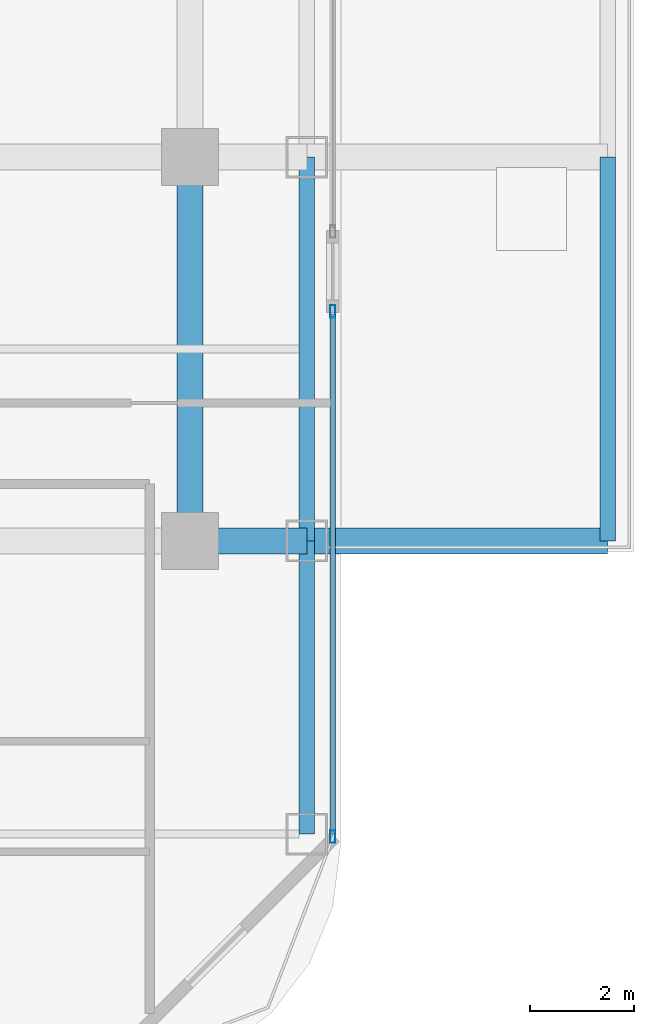
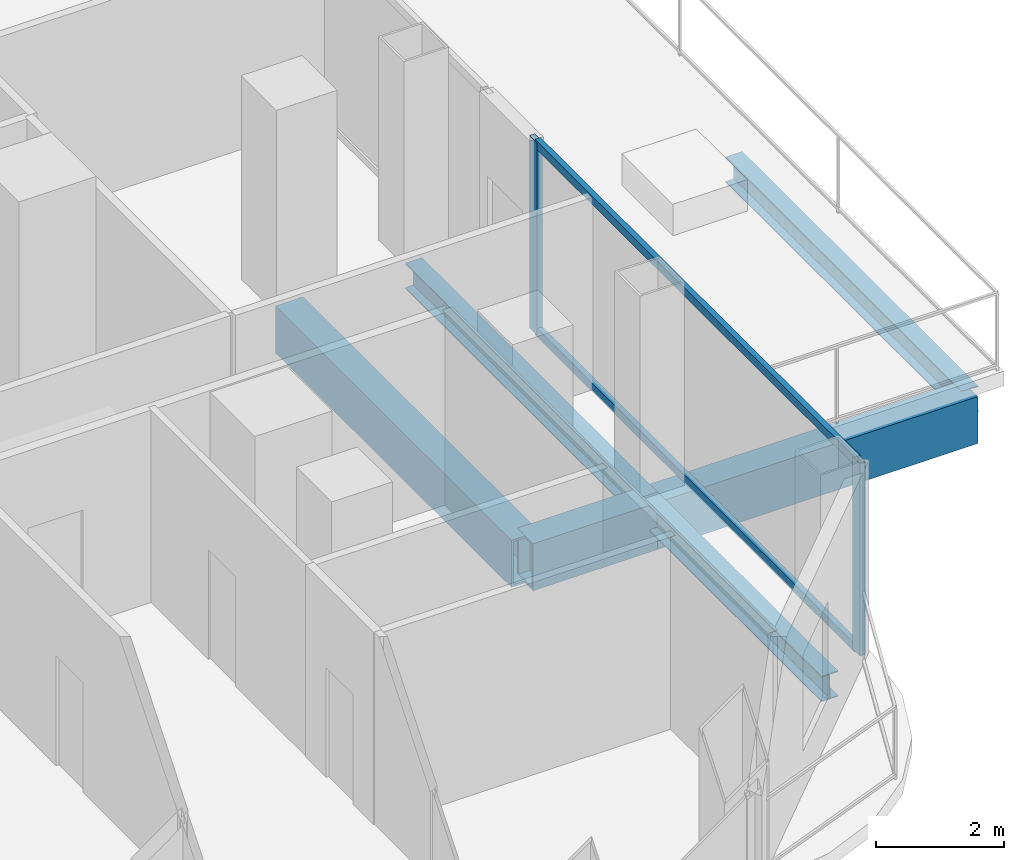
# One storey, part 10 of 29: 6 beams, 4 members, 1 element without a shape of its own.
"""IFC4 building model written with IfcOpenShell, lengths in metres."""

from ifc_helpers import new_model, si_unit, direction, frame, origin, origin_2d, place, context, subcontext, project, spatial, hollow_rectangle, i_section, extrude, material, layer, layer_set, material_profile, profile_set, type_object, element, aggregate, save


model = new_model("IFC4")

# Units and contexts
model_context = context("Model", 3, precision=1e-05, world=origin(), true_north=direction((0.0, 1.0)))
body_context = subcontext(model_context, "Body", "Model", "MODEL_VIEW")
ifc_project = project(units=[si_unit("LENGTHUNIT", "METRE"), si_unit("AREAUNIT", "SQUARE_METRE"), si_unit("VOLUMEUNIT", "CUBIC_METRE"), si_unit("PLANEANGLEUNIT", "RADIAN"), si_unit("MASSUNIT", "GRAM", prefix="KILO")], contexts=[model_context])

# Site, building, storey
site_placement = place(None, origin())
site = spatial("IfcSite", under=ifc_project, at=site_placement, CompositionType="ELEMENT")
building_placement = place(site_placement, origin())
building = spatial("IfcBuilding", under=site, at=building_placement, Name="Khorvyn Point Tower", CompositionType="ELEMENT")
storey_placement = place(building_placement, frame((0.0, 0.0, 54.0)))
storey = spatial("IfcBuildingStorey", under=building, at=storey_placement, Name="L14", CompositionType="ELEMENT", Elevation=54.0)

# Curtain wall, members
ifc_material_1 = material(Name="Anodised aluminium 6063-T6 and laminated Low-E glass", Category="aluminium")
ifc_layer = layer(ifc_material_1, 0.18994140625)
ifc_layer_set = layer_set([ifc_layer], Name="Stick-Built Finned Residential Curtain Wall CW-SYS-02")
curtain_wall_type = type_object("IfcCurtainWallType", Name="Stick-Built Finned Residential Curtain Wall CW-SYS-02", PredefinedType="NOTDEFINED", material=ifc_layer_set)
curtain_wall_placement = place(storey_placement, origin())
curtain_wall = element("IfcCurtainWall", 1, at=curtain_wall_placement, inside=storey, type_object=curtain_wall_type, Name="Curtain Wall", PredefinedType="NOTDEFINED")
ifc_material_2 = material(Name="Anodised aluminium 6063-T6", Category="aluminium")
ifc_material_profile_1 = material_profile(ifc_material_2, hollow_rectangle(XDim=0.10009765625, YDim=0.239990234375, WallThickness=0.0048828125, at=origin_2d()))
ifc_profile_set_1 = profile_set([ifc_material_profile_1], Name="Anodised aluminium 6063-T6 ALU-MUL-100x240")
member_type_1 = type_object("IfcMemberType", Name="Anodised Aluminium 6063-T6 Mullion ALU-MUL-100x240", PredefinedType="MULLION", material=ifc_profile_set_1)
member_1_placement = place(storey_placement, frame((22.14990234375, -10.375, 0.0), z_axis=(0.0, 0.0, 1.0), x_axis=(1.0, 0.0, 0.0)))
member_1 = element("IfcMember", 2, at=member_1_placement, type_object=member_type_1, Name="Transom", PredefinedType="MULLION", context=body_context, shape_type="SweptSolid", body=[
    extrude(hollow_rectangle(XDim=0.10009765625, YDim=0.239990234375, WallThickness=0.0048828125, at=origin_2d()), origin(), (0.0, 0.0, 1.0), 3.679931640625),
])
member_2_placement = place(storey_placement, frame((22.14990234375, -20.5, 0.0), z_axis=(0.0, 0.0, 1.0), x_axis=(1.0, 0.0, 0.0)))
member_2 = element("IfcMember", 3, at=member_2_placement, type_object=member_type_1, Name="Transom", PredefinedType="MULLION", context=body_context, shape_type="SweptSolid", body=[
    extrude(hollow_rectangle(XDim=0.10009765625, YDim=0.239990234375, WallThickness=0.0048828125, at=origin_2d()), origin(), (0.0, 0.0, 1.0), 3.679931640625),
])
ifc_material_profile_2 = material_profile(ifc_material_2, hollow_rectangle(XDim=0.10009765625, YDim=0.159912109375, WallThickness=0.00439453125, at=origin_2d()))
ifc_profile_set_2 = profile_set([ifc_material_profile_2], Name="Anodised aluminium 6063-T6 ALU-TRN-100x160")
member_type_2 = type_object("IfcMemberType", Name="Anodised Aluminium 6063-T6 Transom ALU-TRN-100x160", PredefinedType="USERDEFINED", material=ifc_profile_set_2)
member_3_placement = place(storey_placement, frame((22.14990234375, -10.425048828125, 0.050048828125), z_axis=(0.0, -1.0, 0.0), x_axis=(1.0, 0.0, 0.0)))
member_3 = element("IfcMember", 4, at=member_3_placement, type_object=member_type_2, Name="Transom", ObjectType="TRANSOM", PredefinedType="USERDEFINED", context=body_context, shape_type="SweptSolid", body=[
    extrude(hollow_rectangle(XDim=0.10009765625, YDim=0.159912109375, WallThickness=0.00439453125, at=origin_2d()), origin(), (0.0, 0.0, 1.0), 10.02490234375),
])
member_4_placement = place(storey_placement, frame((22.14990234375, -10.425048828125, 3.6298828125), z_axis=(0.0, -1.0, 0.0), x_axis=(1.0, 0.0, 0.0)))
member_4 = element("IfcMember", 5, at=member_4_placement, type_object=member_type_2, Name="Transom", ObjectType="TRANSOM", PredefinedType="USERDEFINED", context=body_context, shape_type="SweptSolid", body=[
    extrude(hollow_rectangle(XDim=0.10009765625, YDim=0.159912109375, WallThickness=0.00439453125, at=origin_2d()), origin(), (0.0, 0.0, 1.0), 10.02490234375),
])
aggregate(curtain_wall, [member_1, member_2, member_3, member_4])

# Beams
ifc_material_3 = material(Name="Steel S355", Category="steel")
ifc_material_profile_3 = material_profile(ifc_material_3, i_section(OverallWidth=0.300048828125, OverallDepth=0.488037109375, WebThickness=0.010986328125, FlangeThickness=0.01806640625, at=origin_2d()))
ifc_profile_set_3 = profile_set([ifc_material_profile_3], Name="Steel S355 H488x300x11x18")
beam_type_1 = type_object("IfcBeamType", Name="Steel S355 Spandrel H488x300x11x18", PredefinedType="SPANDREL", material=ifc_profile_set_3)
beam_1_placement = place(storey_placement, frame((21.64990234375, -20.449951171875, -0.52392578125), z_axis=(0.0, 1.0, 0.0), x_axis=(-1.0, 0.0, 0.0)))
element("IfcBeam", 6, at=beam_1_placement, inside=storey, type_object=beam_type_1, Name="Beam", PredefinedType="SPANDREL", context=body_context, shape_type="SweptSolid", body=[
    extrude(i_section(OverallWidth=0.300048828125, OverallDepth=0.488037109375, WebThickness=0.010986328125, FlangeThickness=0.01806640625, at=origin_2d()), origin(), (0.0, 0.0, 1.0), 5.64990234375),
])
for number, where, z_axis, x_axis, name in (
    (7, (21.64990234375, -14.800048828125, -0.52392578125), (0.0, 1.0, 0.0), (-1.0, 0.0, 0.0), "Beam"),
    (8, (27.449951171875, -14.800048828125, -0.52392578125), (0.0, 1.0, 0.0), (-1.0, 0.0, 0.0), "Beam"),
):
    element("IfcBeam", number, at=place(storey_placement, frame(where, z_axis=z_axis, x_axis=x_axis)), inside=storey, type_object=beam_type_1, Name=name, PredefinedType="SPANDREL", context=body_context, shape_type="SweptSolid", body=[
        extrude(i_section(OverallWidth=0.300048828125, OverallDepth=0.488037109375, WebThickness=0.010986328125, FlangeThickness=0.01806640625, at=origin_2d()), origin(), (0.0, 0.0, 1.0), 7.400146484375),
    ])
ifc_material_4 = material(Name="Steel S450", Category="steel")
ifc_material_profile_4 = material_profile(ifc_material_4, hollow_rectangle(XDim=0.5, YDim=0.89990234375, WallThickness=0.0400390625, at=origin_2d()))
ifc_profile_set_4 = profile_set([ifc_material_profile_4], Name="Steel S450 BOX900x500x40")
beam_type_2 = type_object("IfcBeamType", Name="Steel S450 Beam BOX900x500x40", PredefinedType="BEAM", material=ifc_profile_set_4)
beam_2_placement = place(storey_placement, frame((19.39990234375, -14.800048828125, -0.72998046875), z_axis=(1.0, 0.0, 0.0), x_axis=(0.0, 1.0, 0.0)))
element("IfcBeam", 9, at=beam_2_placement, inside=storey, type_object=beam_type_2, Name="L14 Radial Transfer Girder", PredefinedType="BEAM", context=body_context, shape_type="SweptSolid", body=[
    extrude(hollow_rectangle(XDim=0.5, YDim=0.89990234375, WallThickness=0.0400390625, at=origin_2d()), origin(), (0.0, 0.0, 1.0), 2.25),
])
beam_3_placement = place(storey_placement, frame((21.64990234375, -14.800048828125, -0.72998046875), z_axis=(1.0, 0.0, 0.0), x_axis=(0.0, 1.0, 0.0)))
element("IfcBeam", 10, at=beam_3_placement, inside=storey, type_object=beam_type_2, Name="L14 Radial Transfer Girder", PredefinedType="BEAM", context=body_context, shape_type="SweptSolid", body=[
    extrude(hollow_rectangle(XDim=0.5, YDim=0.89990234375, WallThickness=0.0400390625, at=origin_2d()), origin(), (0.0, 0.0, 1.0), 5.800048828125),
])
beam_4_placement = place(storey_placement, frame((19.39990234375, -14.800048828125, -0.72998046875), z_axis=(0.0, 1.0, 0.0), x_axis=(-1.0, 0.0, 0.0)))
element("IfcBeam", 11, at=beam_4_placement, inside=storey, type_object=beam_type_2, Name="Beam", PredefinedType="BEAM", context=body_context, shape_type="SweptSolid", body=[
    extrude(hollow_rectangle(XDim=0.5, YDim=0.89990234375, WallThickness=0.0400390625, at=origin_2d()), origin(), (0.0, 0.0, 1.0), 7.400146484375),
])

save(model, "model.ifc")
